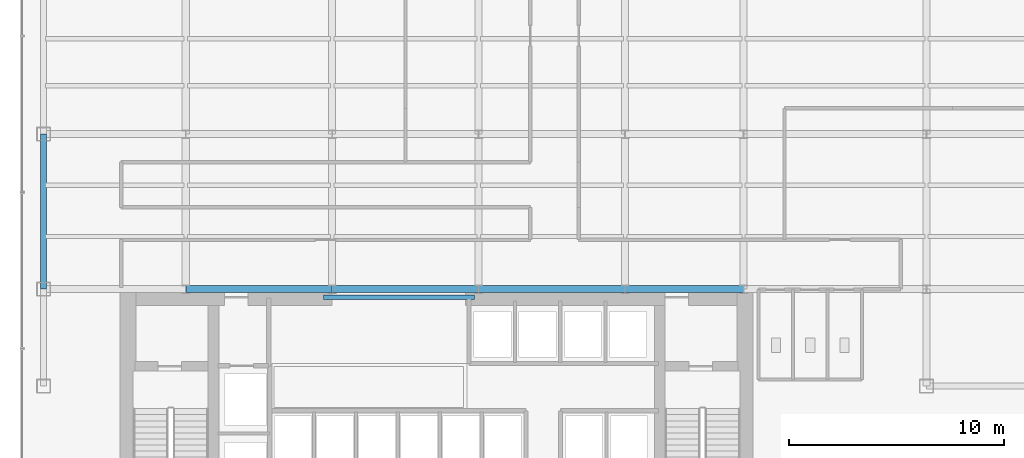
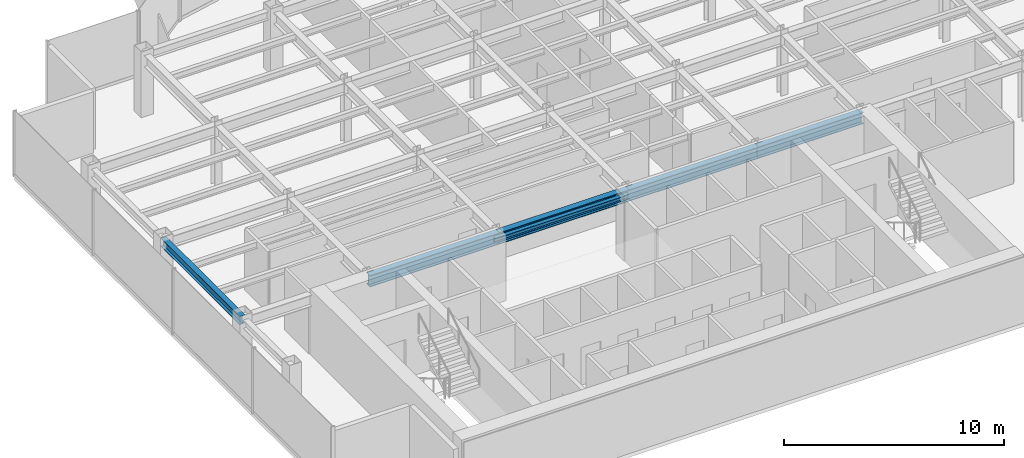
# One storey, part 4 of 25: 6 beams.
"""IFC4 building model written with IfcOpenShell, lengths in metres."""

from ifc_helpers import new_model, si_unit, derived_unit, direction, frame, origin, origin_2d, place, context, subcontext, project, spatial, i_section, extrude, source, transform, mapped, material, material_profile, profile_set, type_object, element, save


model = new_model("IFC4")

# Units and contexts
model_context = context("Model", 3, precision=1e-05, world=origin(), true_north=direction((0.0, 1.0)))
body_context = subcontext(model_context, "Body", "Model", "MODEL_VIEW")
ifc_project = project(units=[si_unit("LENGTHUNIT", "METRE"), si_unit("AREAUNIT", "SQUARE_METRE"), si_unit("VOLUMEUNIT", "CUBIC_METRE"), si_unit("PLANEANGLEUNIT", "RADIAN"), si_unit("MASSUNIT", "GRAM", prefix="KILO"), derived_unit("THERMALTRANSMITTANCEUNIT", [(si_unit("POWERUNIT", "WATT"), 1), (si_unit("LENGTHUNIT", "METRE"), -2), (si_unit("THERMODYNAMICTEMPERATUREUNIT", "KELVIN"), -1)])], contexts=[model_context])

# Site, building, storey
site_placement = place(None, origin())
site = spatial("IfcSite", under=ifc_project, at=site_placement, CompositionType="ELEMENT")
building_placement = place(site_placement, origin())
building = spatial("IfcBuilding", under=site, at=building_placement, Name="Skarnbrae Concourse Arena and Tower", CompositionType="ELEMENT")
storey_placement = place(building_placement, frame((0.0, 0.0, 162.5)))
storey = spatial("IfcBuildingStorey", under=building, at=storey_placement, Name="L41", CompositionType="ELEMENT", Elevation=162.5)

# Beams
ifc_material = material(Name="Steel CSA G40.21 350W", Category="steel")
ifc_material_profile_1 = material_profile(ifc_material, i_section(OverallWidth=0.202880859375, OverallDepth=0.251953125, WebThickness=0.008056640625, FlangeThickness=0.013427734375, at=origin_2d()), Name="W250X58")
ifc_profile_set_1 = profile_set([ifc_material_profile_1], Name="Steel CSA G40.21 350W")
beam_type_1 = type_object("IfcBeamType", Name="BM-LINTEL-W250X58", PredefinedType="LINTEL", material=ifc_profile_set_1)
shared_shape_1 = source(origin(), body_context, "Body", "SweptSolid", [
    extrude(i_section(OverallWidth=0.202880859375, OverallDepth=0.251953125, WebThickness=0.008056640625, FlangeThickness=0.013427734375, at=origin_2d()), origin(), (0.0, 0.0, 1.0), 7.0),
])
beam_1_placement = place(storey_placement, frame((14.0, 13.625, 3.27392578125), z_axis=(1.0, 0.0, 0.0), x_axis=(0.0, 1.0, 0.0)))
element("IfcBeam", 1, at=beam_1_placement, inside=storey, type_object=beam_type_1, Name="L41 Core portal coupling lintel", PredefinedType="LINTEL", context=body_context, shape_type="MappedRepresentation", body=[
    mapped(shared_shape_1, transform((0.0, 0.0, 0.0))),
])
ifc_material_profile_2 = material_profile(ifc_material, i_section(OverallWidth=0.3291015625, OverallDepth=0.635009765625, WebThickness=0.017822265625, FlangeThickness=0.031005859375, at=origin_2d()), Name="W610X241")
ifc_profile_set_2 = profile_set([ifc_material_profile_2], Name="Steel CSA G40.21 350W")
beam_type_2 = type_object("IfcBeamType", Name="BM-GIRD-W610X241", PredefinedType="BEAM", material=ifc_profile_set_2)
shared_shape_2 = source(origin(), body_context, "Body", "SweptSolid", [
    extrude(i_section(OverallWidth=0.3291015625, OverallDepth=0.635009765625, WebThickness=0.017822265625, FlangeThickness=0.031005859375, at=origin_2d()), origin(), (0.0, 0.0, 1.0), 6.7998046875),
])
beam_2_placement = place(storey_placement, frame((7.60009765625, 14.0, 3.08251953125), z_axis=(1.0, 0.0, 0.0), x_axis=(0.0, 1.0, 0.0)))
element("IfcBeam", 2, at=beam_2_placement, inside=storey, type_object=beam_type_2, Name="L41 Primary E-W girder Y14.0-2", PredefinedType="BEAM", context=body_context, shape_type="MappedRepresentation", body=[
    mapped(shared_shape_2, transform((0.0, 0.0, 0.0))),
])
shared_shape_3 = source(origin(), body_context, "Body", "SweptSolid", [
    extrude(i_section(OverallWidth=0.3291015625, OverallDepth=0.635009765625, WebThickness=0.017822265625, FlangeThickness=0.031005859375, at=origin_2d()), origin(), (0.0, 0.0, 1.0), 6.800048828125),
])
for number, where, z_axis, x_axis, name in (
    (3, (14.39990234375, 14.0, 3.08251953125), (1.0, 0.0, 0.0), (0.0, 1.0, 0.0), "L41 Primary E-W girder Y14.0-3"),
    (4, (21.199951171875, 14.0, 3.08251953125), (1.0, 0.0, 0.0), (0.0, 1.0, 0.0), "L41 Primary E-W girder Y14.0-4"),
):
    element("IfcBeam", number, at=place(storey_placement, frame(where, z_axis=z_axis, x_axis=x_axis)), inside=storey, type_object=beam_type_2, Name=name, PredefinedType="BEAM", context=body_context, shape_type="MappedRepresentation", body=[
        mapped(shared_shape_3, transform((0.0, 0.0, 0.0))),
    ])
shared_shape_4 = source(origin(), body_context, "Body", "SweptSolid", [
    extrude(i_section(OverallWidth=0.3291015625, OverallDepth=0.635009765625, WebThickness=0.017822265625, FlangeThickness=0.031005859375, at=origin_2d()), origin(), (0.0, 0.0, 1.0), 5.5),
])
beam_3_placement = place(storey_placement, frame((28.0, 14.0, 3.08251953125), z_axis=(1.0, 0.0, 0.0), x_axis=(0.0, 1.0, 0.0)))
element("IfcBeam", 5, at=beam_3_placement, inside=storey, type_object=beam_type_2, Name="L41 Primary E-W girder Y14.0-5", PredefinedType="BEAM", context=body_context, shape_type="MappedRepresentation", body=[
    mapped(shared_shape_4, transform((0.0, 0.0, 0.0))),
])
ifc_material_profile_3 = material_profile(ifc_material, i_section(OverallWidth=0.280029296875, OverallDepth=0.462890625, WebThickness=0.0107421875, FlangeThickness=0.017333984375, at=origin_2d()), Name="W460X113")
ifc_profile_set_3 = profile_set([ifc_material_profile_3], Name="Steel CSA G40.21 350W")
beam_type_3 = type_object("IfcBeamType", Name="BM-SPAN-W460X113", PredefinedType="SPANDREL", material=ifc_profile_set_3)
shared_shape_5 = source(origin(), body_context, "Body", "SweptSolid", [
    extrude(i_section(OverallWidth=0.280029296875, OverallDepth=0.462890625, WebThickness=0.0107421875, FlangeThickness=0.017333984375, at=origin_2d()), origin(), (0.0, 0.0, 1.0), 7.199951171875),
])
beam_4_placement = place(storey_placement, frame((1.0, 14.0, 3.16845703125), z_axis=(0.0, 1.0, 0.0), x_axis=(-1.0, 0.0, 0.0)))
element("IfcBeam", 6, at=beam_4_placement, inside=storey, type_object=beam_type_3, Name="L41 Perimeter spandrel X1.0-2", PredefinedType="SPANDREL", context=body_context, shape_type="MappedRepresentation", body=[
    mapped(shared_shape_5, transform((0.0, 0.0, 0.0))),
])

save(model, "model.ifc")
